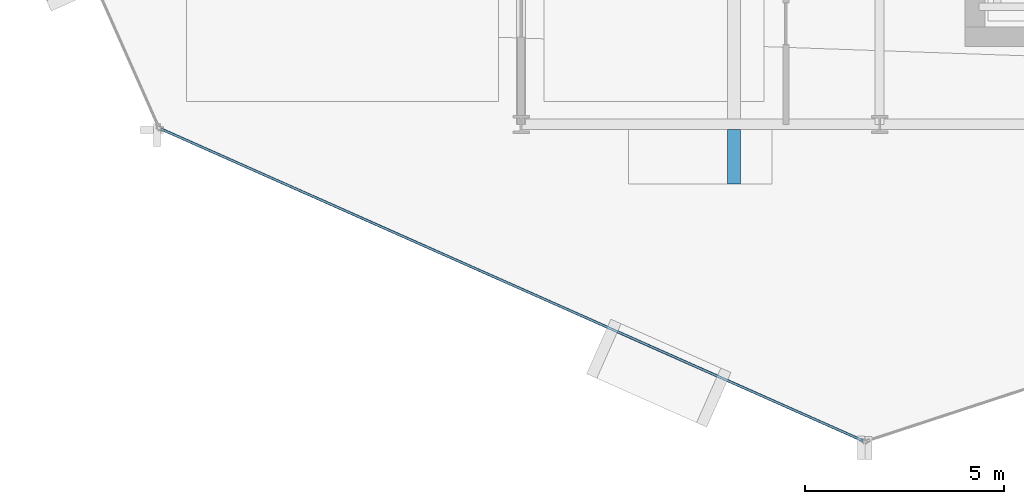
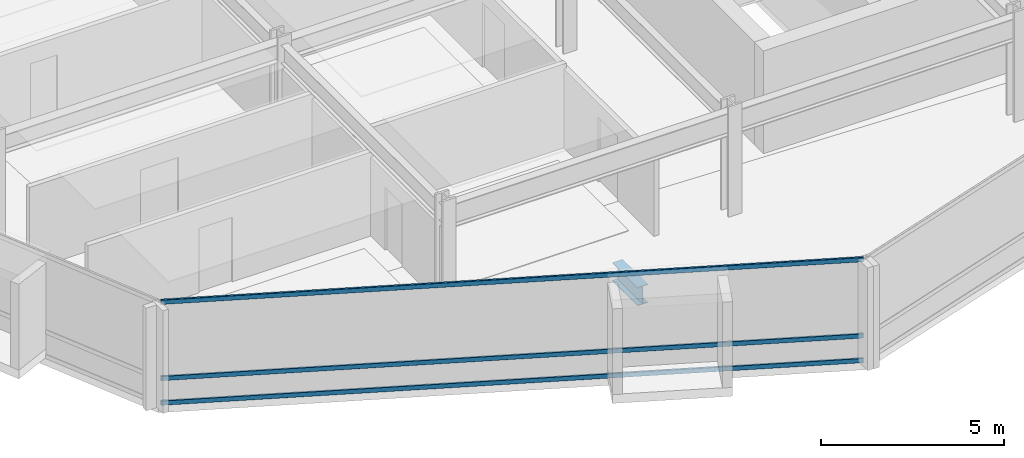
# One storey, part 3 of 29: 3 members, 1 beam, 1 element without a shape of its own.
"""IFC4 building model written with IfcOpenShell, lengths in metres."""

import ifcopenshell
import ifcopenshell.guid

model = None  # the IFC model being written
_history = None  # IfcOwnerHistory: only IFC2X3 demands one
_inside = {}  # id of a spatial element -> (the spatial element, [elements in it])
_under = {}  # id of a project, library or spatial element -> (it, [spatial elements below it])
_declared = {}  # id of a project -> (the project, [libraries it declares])
_typed = {}  # id of a type object -> (the type object, [elements of that type])
_made_of = {}  # id of a material, layer set ... -> (it, [elements and type objects made of it])


def new_model(schema):
    """Start an empty IFC model of exactly this schema.

    Asked for "IFC4X3", IfcOpenShell would pick the latest addendum, in which some entities
    have other attributes; the version numbers below select the first issue.
    IFC2X3 requires an IfcOwnerHistory on every rooted entity: one is made here for all.
    """
    global model, _history
    if schema == "IFC4X3":
        model = ifcopenshell.file(schema_version=(4, 3, 0, 0))
    else:
        model = ifcopenshell.file(schema=schema)
    _inside.clear()
    _under.clear()
    _declared.clear()
    _typed.clear()
    _made_of.clear()
    _history = None
    if model.schema == "IFC2X3":
        org = make("IfcOrganization", Name="unknown")
        user = make(
            "IfcPersonAndOrganization",
            ThePerson=make("IfcPerson", FamilyName="unknown"),
            TheOrganization=org,
        )
        app = make(
            "IfcApplication",
            ApplicationDeveloper=org,
            Version="unknown",
            ApplicationFullName="unknown",
            ApplicationIdentifier="unknown",
        )
        _history = make(
            "IfcOwnerHistory",
            OwningUser=user,
            OwningApplication=app,
            ChangeAction="ADDED",
            CreationDate=0,
        )
    return model


def make(cls, **values):
    """One entity of the class cls with the attributes given. An attribute that is None is left unset."""
    return model.create_entity(
        cls, **{name: value for name, value in values.items() if value is not None}
    )


def rooted(cls, **values):
    """An entity with a GlobalId (a new one), such as an element, a storey or a relation."""
    return make(cls, GlobalId=ifcopenshell.guid.new(), OwnerHistory=_history, **values)


def si_unit(unit_type, name, prefix=None):
    """IfcSIUnit, for example si_unit("LENGTHUNIT", "METRE", prefix="MILLI")."""
    return make("IfcSIUnit", UnitType=unit_type, Prefix=prefix, Name=name)


def assignment(units):
    """IfcUnitAssignment: the units of a project."""
    return None if units is None else make("IfcUnitAssignment", Units=units)


def point(xyz):
    """IfcCartesianPoint."""
    return None if xyz is None else make("IfcCartesianPoint", Coordinates=xyz)


def direction(xyz):
    """IfcDirection."""
    return None if xyz is None else make("IfcDirection", DirectionRatios=xyz)


def frame(location, z_axis=None, x_axis=None):
    """IfcAxis2Placement3D, a coordinate frame: its origin and axes. An axis left out is left unset."""
    return make(
        "IfcAxis2Placement3D",
        Location=point(location),
        Axis=direction(z_axis),
        RefDirection=direction(x_axis),
    )


def frame_2d(location, x_axis=None):
    """IfcAxis2Placement2D, a coordinate frame in the plane: its origin and x axis."""
    return make(
        "IfcAxis2Placement2D", Location=point(location), RefDirection=direction(x_axis)
    )


def origin():
    """The frame at (0, 0, 0) with its axes left unset."""
    return frame((0.0, 0.0, 0.0))


def origin_2d():
    """The frame at (0, 0) in the plane with its x axis left unset."""
    return frame_2d((0.0, 0.0))


def place(relative_to, where):
    """IfcLocalPlacement: puts the frame where relative to a parent placement (None: the world)."""
    return make(
        "IfcLocalPlacement", PlacementRelTo=relative_to, RelativePlacement=where
    )


def context(
    kind, dimensions, precision=None, world=None, true_north=None, identifier=None
):
    """IfcGeometricRepresentationContext, for example the 3D "Model" context."""
    return make(
        "IfcGeometricRepresentationContext",
        ContextIdentifier=identifier,
        ContextType=kind,
        CoordinateSpaceDimension=dimensions,
        Precision=precision,
        WorldCoordinateSystem=world,
        TrueNorth=true_north,
    )


def subcontext(parent, identifier, kind, view, scale=None):
    """IfcGeometricRepresentationSubContext, for example "Body" below "Model"."""
    return make(
        "IfcGeometricRepresentationSubContext",
        ContextIdentifier=identifier,
        ContextType=kind,
        ParentContext=parent,
        TargetScale=scale,
        TargetView=view,
    )


def project(units=None, contexts=None):
    """IfcProject with its units and contexts."""
    return rooted(
        "IfcProject",
        Name="project",
        RepresentationContexts=contexts,
        UnitsInContext=assignment(units),
    )


def spatial(cls, under=None, at=None, **own):
    """A site, building, storey or space (cls), placed at a placement, below another one or the project."""
    s = rooted(cls, ObjectPlacement=at, **own)
    if under is not None:
        _under.setdefault(under.id(), (under, []))[1].append(s)
    return s


def profile(cls, at=None, kind="AREA", **sizes):
    """A parametric profile (cls). Its sizes go by their IFC names, for example OverallWidth=200.0."""
    return make(cls, ProfileType=kind, Position=at, **sizes)


def hollow_rectangle(**sizes):
    """IfcRectangleHollowProfileDef."""
    return profile("IfcRectangleHollowProfileDef", **sizes)


def i_section(**sizes):
    """IfcIShapeProfileDef."""
    return profile("IfcIShapeProfileDef", **sizes)


def extrude(swept, where, along, depth):
    """IfcExtrudedAreaSolid: the profile swept, set in the frame where, extruded along a direction by depth."""
    return make(
        "IfcExtrudedAreaSolid",
        SweptArea=swept,
        Position=where,
        ExtrudedDirection=direction(along),
        Depth=depth,
    )


def shape(context_of_items, identifier, shape_type, items):
    """IfcShapeRepresentation: the items that make up one representation, for example the "Body"."""
    return make(
        "IfcShapeRepresentation",
        ContextOfItems=context_of_items,
        RepresentationIdentifier=identifier,
        RepresentationType=shape_type,
        Items=items,
    )


def material(Name=None, Category=None):
    """IfcMaterial."""
    return make("IfcMaterial", Name=Name, Category=Category)


def layer(
    of_material, thickness, ventilated=None, Name=None, Category=None, Priority=None
):
    """IfcMaterialLayer: one layer of a wall or slab, of a material (None: an air gap)."""
    return make(
        "IfcMaterialLayer",
        Material=of_material,
        LayerThickness=thickness,
        IsVentilated=ventilated,
        Name=Name,
        Category=Category,
        Priority=Priority,
    )


def layer_set(layers, Name=None):
    """IfcMaterialLayerSet."""
    return make("IfcMaterialLayerSet", MaterialLayers=layers, LayerSetName=Name)


def material_profile(
    of_material, cross_section, Name=None, Category=None, Priority=None
):
    """IfcMaterialProfile: a cross section and its material."""
    return make(
        "IfcMaterialProfile",
        Name=Name,
        Material=of_material,
        Profile=cross_section,
        Priority=Priority,
        Category=Category,
    )


def profile_set(profiles, Name=None, composite=None):
    """IfcMaterialProfileSet."""
    return make(
        "IfcMaterialProfileSet",
        Name=Name,
        MaterialProfiles=profiles,
        CompositeProfile=composite,
    )


def made_of(thing, what):
    """Note that an element or type object is made of a material, layer set ...; save() writes the relation."""
    if what is not None:
        _made_of.setdefault(what.id(), (what, []))[1].append(thing)
    return thing


def type_object(cls, material=None, **own):
    """A type object (cls), such as IfcWallType, which elements share."""
    return made_of(rooted(cls, **own), material)


def element(
    cls,
    number,
    at=None,
    inside=None,
    cuts=None,
    type_object=None,
    material=None,
    context=None,
    identifier="Body",
    shape_type=None,
    held_by="IfcProductDefinitionShape",
    body=None,
    shapes=None,
    **own,
):
    """One element of the class cls, such as IfcWall. Its Tag is "e" and its number.

    at: its placement. inside: the storey or other place that contains it. cuts: it is an
    opening in that element (IfcRelVoidsElement). A single representation is given by context,
    identifier, shape_type and body (its items); several are given by shapes. held_by: the class
    of the entity that holds the representations. save() writes the other relations.
    """
    e = rooted(cls, Tag="e%d" % number, ObjectPlacement=at, **own)
    if body is not None:
        shapes = [shape(context, identifier, shape_type, body)]
    if shapes is not None:
        e.Representation = make(held_by, Representations=shapes)
    if inside is not None:
        _inside.setdefault(inside.id(), (inside, []))[1].append(e)
    if cuts is not None:
        rooted(
            "IfcRelVoidsElement", RelatingBuildingElement=cuts, RelatedOpeningElement=e
        )
    if type_object is not None:
        _typed.setdefault(type_object.id(), (type_object, []))[1].append(e)
    return made_of(e, material)


def aggregate(whole, parts):
    """IfcRelAggregates: a whole, such as a stair, and the parts it consists of."""
    return rooted("IfcRelAggregates", RelatingObject=whole, RelatedObjects=parts)


def save(model, path):
    """Write the relations noted so far, then the file.

    IfcRelAggregates (storeys below a building ...), IfcRelContainedInSpatialStructure (elements
    in a storey), IfcRelDefinesByType, IfcRelAssociatesMaterial and IfcRelDeclares: one each for
    every whole, place, type object, material and project.
    """
    for whole, parts in _under.values():
        aggregate(whole, parts)
    for where, things in _inside.values():
        rooted(
            "IfcRelContainedInSpatialStructure",
            RelatedElements=things,
            RelatingStructure=where,
        )
    for kind, things in _typed.values():
        rooted("IfcRelDefinesByType", RelatedObjects=things, RelatingType=kind)
    for what, things in _made_of.values():
        rooted("IfcRelAssociatesMaterial", RelatedObjects=things, RelatingMaterial=what)
    for by, libraries in _declared.values():
        rooted("IfcRelDeclares", RelatingContext=by, RelatedDefinitions=libraries)
    model.write(path)


model = new_model("IFC4")

# Units and contexts
model_context = context("Model", 3, precision=1e-05, world=origin(), true_north=direction((0.0, 1.0)))
body_context = subcontext(model_context, "Body", "Model", "MODEL_VIEW")
ifc_project = project(units=[si_unit("LENGTHUNIT", "METRE"), si_unit("AREAUNIT", "SQUARE_METRE"), si_unit("VOLUMEUNIT", "CUBIC_METRE"), si_unit("PLANEANGLEUNIT", "RADIAN"), si_unit("MASSUNIT", "GRAM", prefix="KILO")], contexts=[model_context])

# Site, building, storey
site_placement = place(None, origin())
site = spatial("IfcSite", under=ifc_project, at=site_placement, CompositionType="ELEMENT")
building_placement = place(site_placement, origin())
building = spatial("IfcBuilding", under=site, at=building_placement, Name="Solvaryn Broadcast Tower", CompositionType="ELEMENT")
storey_placement = place(building_placement, frame((0.0, 0.0, 128.5)))
storey = spatial("IfcBuildingStorey", under=building, at=storey_placement, Name="L31", CompositionType="ELEMENT", Elevation=128.5)

# Beam
ifc_material_1 = material(Name="Steel ASTM A992 Grade 50", Category="steel")
ifc_material_profile_1 = material_profile(ifc_material_1, i_section(OverallWidth=0.323974609375, OverallDepth=0.611083984375, WebThickness=0.0126953125, FlangeThickness=0.01904296875, FilletRadius=0.014892578125, at=origin_2d()))
ifc_profile_set_1 = profile_set([ifc_material_profile_1], Name="Steel ASTM A992 Grade 50")
beam_type = type_object("IfcBeamType", Name="BM-CANT-TER", PredefinedType="BEAM", material=ifc_profile_set_1)
beam_placement = place(storey_placement, frame((23.35009765625, 8.875, -0.58544921875), z_axis=(0.0, -1.0, 0.0), x_axis=(1.0, 0.0, 0.0)))
element("IfcBeam", 1, at=beam_placement, inside=storey, type_object=beam_type, Name="L31 Bay-Box Cantilever Bracket 1", PredefinedType="BEAM", context=body_context, shape_type="SweptSolid", body=[
    extrude(i_section(OverallWidth=0.323974609375, OverallDepth=0.611083984375, WebThickness=0.0126953125, FlangeThickness=0.01904296875, FilletRadius=0.014892578125, at=origin_2d()), origin(), (0.0, 0.0, 1.0), 1.375),
])

# Curtain wall, members
ifc_material_2 = material(Name="Aluminium and Terracotta Unitised Curtain Wall", Category="masonry")
ifc_layer = layer(ifc_material_2, 0.199951171875)
ifc_layer_set = layer_set([ifc_layer], Name="CW-SYS2-LOWMID")
curtain_wall_type = type_object("IfcCurtainWallType", Name="CW-SYS2-LOWMID", PredefinedType="NOTDEFINED", material=ifc_layer_set)
curtain_wall_placement = place(storey_placement, origin())
curtain_wall = element("IfcCurtainWall", 2, at=curtain_wall_placement, inside=storey, type_object=curtain_wall_type, Name="L31 Curtain Wall DR3", PredefinedType="NOTDEFINED")
ifc_material_3 = material(Name="Anodised Aluminium 6063-T6", Category="aluminium")
ifc_material_profile_2 = material_profile(ifc_material_3, hollow_rectangle(XDim=0.06494140625, YDim=0.14990234375, WallThickness=0.00390625, InnerFilletRadius=0.00390625, OuterFilletRadius=0.008056640625, at=origin_2d()))
ifc_profile_set_2 = profile_set([ifc_material_profile_2], Name="Anodised Aluminium 6063-T6")
member_type = type_object("IfcMemberType", Name="CW-TRN-150", PredefinedType="USERDEFINED", material=ifc_profile_set_2)
member_1_placement = place(storey_placement, frame((8.962890625, 8.883544921875, 0.030029296875), z_axis=(0.913909703223, -0.405917546252, 0.0), x_axis=(0.405917546252, 0.913909703223, 0.0)))
member_1 = element("IfcMember", 3, at=member_1_placement, type_object=member_type, Name="CWS2 transom 1.1", ObjectType="TRANSOM", PredefinedType="USERDEFINED", context=body_context, shape_type="SweptSolid", body=[
    extrude(hollow_rectangle(XDim=0.06494140625, YDim=0.14990234375, WallThickness=0.00390625, InnerFilletRadius=0.00390625, OuterFilletRadius=0.008056640625, at=origin_2d()), origin(), (0.0, 0.0, 1.0), 19.27783203125),
])
member_2_placement = place(storey_placement, frame((8.962890625, 8.883544921875, 0.85009765625), z_axis=(0.913909703223, -0.405917546252, 0.0), x_axis=(0.405917546252, 0.913909703223, 0.0)))
member_2 = element("IfcMember", 4, at=member_2_placement, type_object=member_type, Name="CWS2 transom 1.2", ObjectType="TRANSOM", PredefinedType="USERDEFINED", context=body_context, shape_type="SweptSolid", body=[
    extrude(hollow_rectangle(XDim=0.06494140625, YDim=0.14990234375, WallThickness=0.00390625, InnerFilletRadius=0.00390625, OuterFilletRadius=0.008056640625, at=origin_2d()), origin(), (0.0, 0.0, 1.0), 19.27783203125),
])
member_3_placement = place(storey_placement, frame((8.962890625, 8.883544921875, 3.389892578125), z_axis=(0.913909703223, -0.405917546252, 0.0), x_axis=(0.405917546252, 0.913909703223, 0.0)))
member_3 = element("IfcMember", 5, at=member_3_placement, type_object=member_type, Name="CWS2 transom 1.3", ObjectType="TRANSOM", PredefinedType="USERDEFINED", context=body_context, shape_type="SweptSolid", body=[
    extrude(hollow_rectangle(XDim=0.06494140625, YDim=0.14990234375, WallThickness=0.00390625, InnerFilletRadius=0.00390625, OuterFilletRadius=0.008056640625, at=origin_2d()), origin(), (0.0, 0.0, 1.0), 19.27783203125),
])
aggregate(curtain_wall, [member_1, member_2, member_3])

save(model, "model.ifc")
